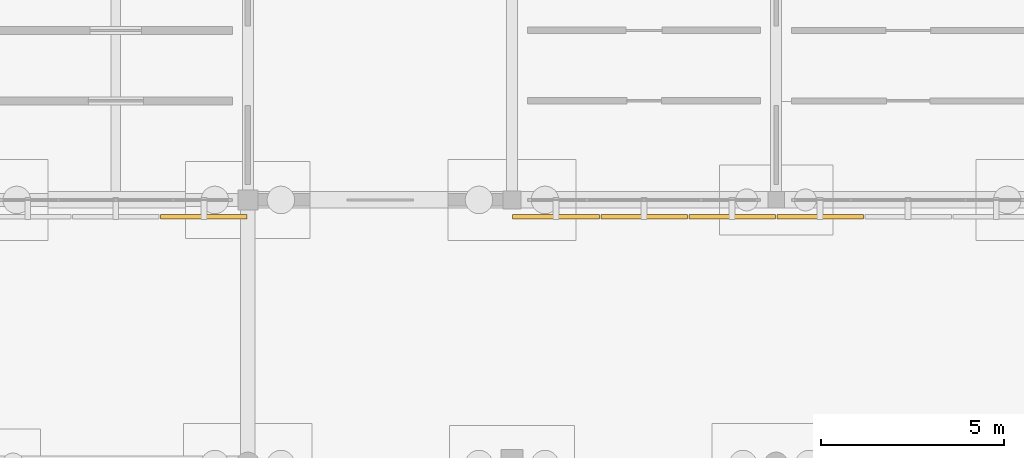
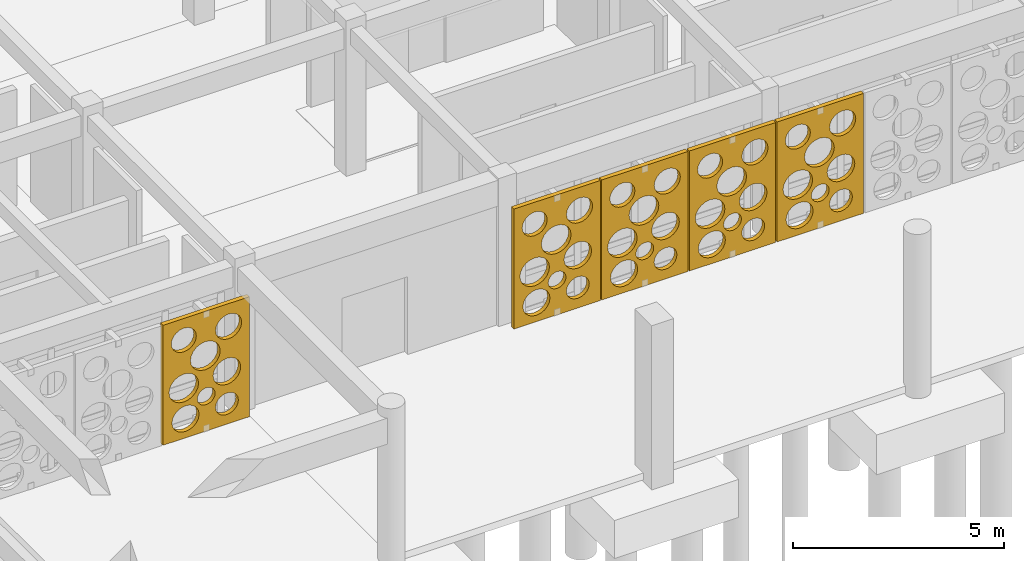
# One storey, part 97 of 111: 5 coverings.
"""IFC4 building model written with IfcOpenShell, lengths in metres."""

from ifc_helpers import new_model, si_unit, direction, frame, origin, place, context, subcontext, project, spatial, polyline, outline, extrude, material, layer, layer_set, type_object, element, save


model = new_model("IFC4")

# Units and contexts
model_context = context("Model", 3, precision=1e-05, world=origin(), true_north=direction((0.0, 1.0)))
body_context = subcontext(model_context, "Body", "Model", "MODEL_VIEW")
ifc_project = project(units=[si_unit("LENGTHUNIT", "METRE"), si_unit("AREAUNIT", "SQUARE_METRE"), si_unit("VOLUMEUNIT", "CUBIC_METRE"), si_unit("PLANEANGLEUNIT", "RADIAN"), si_unit("MASSUNIT", "GRAM", prefix="KILO")], contexts=[model_context])

# Site, building, storey
site_placement = place(None, origin())
site = spatial("IfcSite", under=ifc_project, at=site_placement, CompositionType="ELEMENT")
building_placement = place(site_placement, origin())
building = spatial("IfcBuilding", under=site, at=building_placement, Name="Aldebral Square Health Centre", CompositionType="ELEMENT")
storey_placement = place(building_placement, origin())
storey = spatial("IfcBuildingStorey", under=building, at=storey_placement, Name="L00", CompositionType="ELEMENT", Elevation=0.0)

# Coverings
ifc_material = material(Name="Cream cantera perforated stone screen", Category="masonry")
ifc_layer = layer(ifc_material, 0.1201171875, Name="Cream cantera perforated stone screen", Category="masonry")
ifc_layer_set = layer_set([ifc_layer], Name="Cream cantera perforated stone screen")
covering_type = type_object("IfcCoveringType", Name="COV-SCR-120", PredefinedType="CLADDING", material=ifc_layer_set)
covering_1_placement = place(storey_placement, frame((69.6201171875, 78.739990234375, 0.0), z_axis=(0.0, 0.0, 1.0), x_axis=(1.0, 0.0, 0.0)))
element("IfcCovering", 1, at=covering_1_placement, inside=storey, type_object=covering_type, Name="L00 V1 circular-aperture stone screen L00-V1-09-11-S.3", PredefinedType="CLADDING", context=body_context, shape_type="SweptSolid", body=[
    extrude(outline(polyline([(0.0, 0.0), (2.35986328125, 0.0), (2.35986328125, 3.469970703125), (0.0, 3.469970703125), (0.0, 0.0)]), holes=[polyline([(0.98486328125, 0.55517578125), (0.966552734375, 0.4404296875), (0.913818359375, 0.3369140625), (0.831787109375, 0.2548828125), (0.728271484375, 0.2021484375), (0.613525390625, 0.18408203125), (0.498779296875, 0.2021484375), (0.3955078125, 0.2548828125), (0.313232421875, 0.3369140625), (0.260498046875, 0.4404296875), (0.242431640625, 0.55517578125), (0.260498046875, 0.669921875), (0.313232421875, 0.7734375), (0.3955078125, 0.85546875), (0.498779296875, 0.908203125), (0.613525390625, 0.926513671875), (0.728271484375, 0.908203125), (0.831787109375, 0.85546875), (0.913818359375, 0.7734375), (0.966552734375, 0.669921875), (0.98486328125, 0.55517578125)]), polyline([(2.059326171875, 0.58984375), (2.0439453125, 0.4931640625), (1.99951171875, 0.406005859375), (1.930419921875, 0.336669921875), (1.843017578125, 0.292236328125), (1.746337890625, 0.277099609375), (1.649658203125, 0.292236328125), (1.5625, 0.336669921875), (1.4931640625, 0.406005859375), (1.44873046875, 0.4931640625), (1.43359375, 0.58984375), (1.44873046875, 0.6865234375), (1.4931640625, 0.77392578125), (1.5625, 0.843017578125), (1.649658203125, 0.887451171875), (1.746337890625, 0.90283203125), (1.843017578125, 0.887451171875), (1.930419921875, 0.843017578125), (1.99951171875, 0.77392578125), (2.0439453125, 0.6865234375), (2.059326171875, 0.58984375)]), polyline([(0.970703125, 1.45751953125), (0.950927734375, 1.33251953125), (0.8935546875, 1.2197265625), (0.803955078125, 1.13037109375), (0.69140625, 1.072998046875), (0.56640625, 1.052978515625), (0.44140625, 1.072998046875), (0.328857421875, 1.13037109375), (0.2392578125, 1.2197265625), (0.181884765625, 1.33251953125), (0.162109375, 1.45751953125), (0.181884765625, 1.582275390625), (0.2392578125, 1.695068359375), (0.328857421875, 1.784423828125), (0.44140625, 1.841796875), (0.56640625, 1.86181640625), (0.69140625, 1.841796875), (0.803955078125, 1.784423828125), (0.8935546875, 1.695068359375), (0.950927734375, 1.582275390625), (0.970703125, 1.45751953125)]), polyline([(2.124267578125, 1.52685546875), (2.105712890625, 1.41015625), (2.052001953125, 1.3046875), (1.968505859375, 1.22119140625), (1.863037109375, 1.16748046875), (1.746337890625, 1.14892578125), (1.629638671875, 1.16748046875), (1.5244140625, 1.22119140625), (1.440673828125, 1.3046875), (1.38720703125, 1.41015625), (1.36865234375, 1.52685546875), (1.38720703125, 1.6435546875), (1.440673828125, 1.748779296875), (1.5244140625, 1.83251953125), (1.629638671875, 1.88623046875), (1.746337890625, 1.904541015625), (1.863037109375, 1.88623046875), (1.968505859375, 1.83251953125), (2.052001953125, 1.748779296875), (2.105712890625, 1.6435546875), (2.124267578125, 1.52685546875)]), polyline([(1.42431640625, 1.00634765625), (1.412353515625, 0.9306640625), (1.377685546875, 0.862548828125), (1.32373046875, 0.80859375), (1.255615234375, 0.77392578125), (1.179931640625, 0.761962890625), (1.1044921875, 0.77392578125), (1.036376953125, 0.80859375), (0.982177734375, 0.862548828125), (0.947509765625, 0.9306640625), (0.935546875, 1.00634765625), (0.947509765625, 1.081787109375), (0.982177734375, 1.14990234375), (1.036376953125, 1.2041015625), (1.1044921875, 1.23876953125), (1.179931640625, 1.250732421875), (1.255615234375, 1.23876953125), (1.32373046875, 1.2041015625), (1.377685546875, 1.14990234375), (1.412353515625, 1.081787109375), (1.42431640625, 1.00634765625)]), polyline([(1.563232421875, 2.18603515625), (1.54345703125, 2.060302734375), (1.485595703125, 1.947021484375), (1.3955078125, 1.85693359375), (1.2822265625, 1.799072265625), (1.156494140625, 1.779296875), (1.03076171875, 1.799072265625), (0.917236328125, 1.85693359375), (0.8271484375, 1.947021484375), (0.76953125, 2.060302734375), (0.74951171875, 2.18603515625), (0.76953125, 2.311767578125), (0.8271484375, 2.42529296875), (0.917236328125, 2.515380859375), (1.03076171875, 2.572998046875), (1.156494140625, 2.593017578125), (1.2822265625, 2.572998046875), (1.3955078125, 2.515380859375), (1.485595703125, 2.42529296875), (1.54345703125, 2.311767578125), (1.563232421875, 2.18603515625)]), polyline([(0.9091796875, 2.845458984375), (0.892333984375, 2.739501953125), (0.84375, 2.64404296875), (0.767822265625, 2.568115234375), (0.67236328125, 2.51953125), (0.56640625, 2.502685546875), (0.46044921875, 2.51953125), (0.364990234375, 2.568115234375), (0.2890625, 2.64404296875), (0.240478515625, 2.739501953125), (0.2236328125, 2.845458984375), (0.240478515625, 2.951416015625), (0.2890625, 3.046875), (0.364990234375, 3.12255859375), (0.46044921875, 3.17138671875), (0.56640625, 3.18798828125), (0.67236328125, 3.17138671875), (0.767822265625, 3.12255859375), (0.84375, 3.046875), (0.892333984375, 2.951416015625), (0.9091796875, 2.845458984375)]), polyline([(2.1513671875, 2.810791015625), (2.1337890625, 2.7001953125), (2.0830078125, 2.600341796875), (2.00390625, 2.521240234375), (1.904052734375, 2.470458984375), (1.793701171875, 2.452880859375), (1.68310546875, 2.470458984375), (1.583251953125, 2.521240234375), (1.504150390625, 2.600341796875), (1.453369140625, 2.7001953125), (1.435791015625, 2.810791015625), (1.453369140625, 2.921142578125), (1.504150390625, 3.02099609375), (1.583251953125, 3.10009765625), (1.68310546875, 3.15087890625), (1.793701171875, 3.16845703125), (1.904052734375, 3.15087890625), (2.00390625, 3.10009765625), (2.0830078125, 3.02099609375), (2.1337890625, 2.921142578125), (2.1513671875, 2.810791015625)])]), frame((0.0, 0.06005859375, 0.0), z_axis=(0.0, -1.0, 0.0), x_axis=(1.0, 0.0, 0.0)), (0.0, 0.0, 1.0), 0.1201171875),
])
covering_2_placement = place(storey_placement, frame((79.219970703125, 78.739990234375, 0.0), z_axis=(0.0, 0.0, 1.0), x_axis=(1.0, 0.0, 0.0)))
element("IfcCovering", 2, at=covering_2_placement, inside=storey, type_object=covering_type, Name="L00 V1 circular-aperture stone screen L00-V1-11-11-S.1", PredefinedType="CLADDING", context=body_context, shape_type="SweptSolid", body=[
    extrude(outline(polyline([(0.0, 0.0), (2.360107421875, 0.0), (2.360107421875, 3.469970703125), (0.0, 3.469970703125), (0.0, 0.0)]), holes=[polyline([(0.98486328125, 0.55517578125), (0.966552734375, 0.4404296875), (0.913818359375, 0.3369140625), (0.831787109375, 0.2548828125), (0.728271484375, 0.2021484375), (0.613525390625, 0.18408203125), (0.498779296875, 0.2021484375), (0.3955078125, 0.2548828125), (0.313232421875, 0.3369140625), (0.260498046875, 0.4404296875), (0.242431640625, 0.55517578125), (0.260498046875, 0.669921875), (0.313232421875, 0.7734375), (0.3955078125, 0.85546875), (0.498779296875, 0.908203125), (0.613525390625, 0.926513671875), (0.728271484375, 0.908203125), (0.831787109375, 0.85546875), (0.913818359375, 0.7734375), (0.966552734375, 0.669921875), (0.98486328125, 0.55517578125)]), polyline([(2.059326171875, 0.58984375), (2.0439453125, 0.4931640625), (1.99951171875, 0.406005859375), (1.930419921875, 0.336669921875), (1.843017578125, 0.292236328125), (1.746337890625, 0.277099609375), (1.649658203125, 0.292236328125), (1.5625, 0.336669921875), (1.4931640625, 0.406005859375), (1.44873046875, 0.4931640625), (1.43359375, 0.58984375), (1.44873046875, 0.6865234375), (1.4931640625, 0.77392578125), (1.5625, 0.843017578125), (1.649658203125, 0.887451171875), (1.746337890625, 0.90283203125), (1.843017578125, 0.887451171875), (1.930419921875, 0.843017578125), (1.99951171875, 0.77392578125), (2.0439453125, 0.6865234375), (2.059326171875, 0.58984375)]), polyline([(0.970703125, 1.45751953125), (0.950927734375, 1.33251953125), (0.8935546875, 1.2197265625), (0.803955078125, 1.13037109375), (0.69140625, 1.072998046875), (0.56640625, 1.052978515625), (0.44140625, 1.072998046875), (0.328857421875, 1.13037109375), (0.2392578125, 1.2197265625), (0.181884765625, 1.33251953125), (0.162109375, 1.45751953125), (0.181884765625, 1.582275390625), (0.2392578125, 1.695068359375), (0.328857421875, 1.784423828125), (0.44140625, 1.841796875), (0.56640625, 1.86181640625), (0.69140625, 1.841796875), (0.803955078125, 1.784423828125), (0.8935546875, 1.695068359375), (0.950927734375, 1.582275390625), (0.970703125, 1.45751953125)]), polyline([(2.124267578125, 1.52685546875), (2.105712890625, 1.41015625), (2.052001953125, 1.3046875), (1.968505859375, 1.22119140625), (1.863037109375, 1.16748046875), (1.746337890625, 1.14892578125), (1.629638671875, 1.16748046875), (1.5244140625, 1.22119140625), (1.440673828125, 1.3046875), (1.38720703125, 1.41015625), (1.36865234375, 1.52685546875), (1.38720703125, 1.6435546875), (1.440673828125, 1.748779296875), (1.5244140625, 1.83251953125), (1.629638671875, 1.88623046875), (1.746337890625, 1.904541015625), (1.863037109375, 1.88623046875), (1.968505859375, 1.83251953125), (2.052001953125, 1.748779296875), (2.105712890625, 1.6435546875), (2.124267578125, 1.52685546875)]), polyline([(1.42431640625, 1.00634765625), (1.412353515625, 0.9306640625), (1.377685546875, 0.862548828125), (1.32373046875, 0.80859375), (1.255615234375, 0.77392578125), (1.179931640625, 0.761962890625), (1.1044921875, 0.77392578125), (1.036376953125, 0.80859375), (0.982177734375, 0.862548828125), (0.947509765625, 0.9306640625), (0.935546875, 1.00634765625), (0.947509765625, 1.081787109375), (0.982177734375, 1.14990234375), (1.036376953125, 1.2041015625), (1.1044921875, 1.23876953125), (1.179931640625, 1.250732421875), (1.255615234375, 1.23876953125), (1.32373046875, 1.2041015625), (1.377685546875, 1.14990234375), (1.412353515625, 1.081787109375), (1.42431640625, 1.00634765625)]), polyline([(1.563232421875, 2.18603515625), (1.54345703125, 2.060302734375), (1.485595703125, 1.947021484375), (1.3955078125, 1.85693359375), (1.2822265625, 1.799072265625), (1.156494140625, 1.779296875), (1.03076171875, 1.799072265625), (0.917236328125, 1.85693359375), (0.8271484375, 1.947021484375), (0.76953125, 2.060302734375), (0.74951171875, 2.18603515625), (0.76953125, 2.311767578125), (0.8271484375, 2.42529296875), (0.917236328125, 2.515380859375), (1.03076171875, 2.572998046875), (1.156494140625, 2.593017578125), (1.2822265625, 2.572998046875), (1.3955078125, 2.515380859375), (1.485595703125, 2.42529296875), (1.54345703125, 2.311767578125), (1.563232421875, 2.18603515625)]), polyline([(0.9091796875, 2.845458984375), (0.892333984375, 2.739501953125), (0.84375, 2.64404296875), (0.767822265625, 2.568115234375), (0.67236328125, 2.51953125), (0.56640625, 2.502685546875), (0.46044921875, 2.51953125), (0.364990234375, 2.568115234375), (0.2890625, 2.64404296875), (0.240478515625, 2.739501953125), (0.2236328125, 2.845458984375), (0.240478515625, 2.951416015625), (0.2890625, 3.046875), (0.364990234375, 3.12255859375), (0.46044921875, 3.17138671875), (0.56640625, 3.18798828125), (0.67236328125, 3.17138671875), (0.767822265625, 3.12255859375), (0.84375, 3.046875), (0.892333984375, 2.951416015625), (0.9091796875, 2.845458984375)]), polyline([(2.1513671875, 2.810791015625), (2.1337890625, 2.7001953125), (2.0830078125, 2.600341796875), (2.00390625, 2.521240234375), (1.904052734375, 2.470458984375), (1.793701171875, 2.452880859375), (1.68310546875, 2.470458984375), (1.583251953125, 2.521240234375), (1.504150390625, 2.600341796875), (1.453369140625, 2.7001953125), (1.435791015625, 2.810791015625), (1.453369140625, 2.921142578125), (1.504150390625, 3.02099609375), (1.583251953125, 3.10009765625), (1.68310546875, 3.15087890625), (1.793701171875, 3.16845703125), (1.904052734375, 3.15087890625), (2.00390625, 3.10009765625), (2.0830078125, 3.02099609375), (2.1337890625, 2.921142578125), (2.1513671875, 2.810791015625)])]), frame((0.0, 0.06005859375, 0.0), z_axis=(0.0, -1.0, 0.0), x_axis=(1.0, 0.0, 0.0)), (0.0, 0.0, 1.0), 0.1201171875),
])
covering_3_placement = place(storey_placement, frame((81.6201171875, 78.739990234375, 0.0), z_axis=(0.0, 0.0, 1.0), x_axis=(1.0, 0.0, 0.0)))
element("IfcCovering", 3, at=covering_3_placement, inside=storey, type_object=covering_type, Name="L00 V1 circular-aperture stone screen L00-V1-11-11-S.2", PredefinedType="CLADDING", context=body_context, shape_type="SweptSolid", body=[
    extrude(outline(polyline([(0.0, 0.0), (2.35986328125, 0.0), (2.35986328125, 3.469970703125), (0.0, 3.469970703125), (0.0, 0.0)]), holes=[polyline([(0.98486328125, 0.55517578125), (0.966552734375, 0.4404296875), (0.913818359375, 0.3369140625), (0.831787109375, 0.2548828125), (0.728271484375, 0.2021484375), (0.613525390625, 0.18408203125), (0.498779296875, 0.2021484375), (0.3955078125, 0.2548828125), (0.313232421875, 0.3369140625), (0.260498046875, 0.4404296875), (0.242431640625, 0.55517578125), (0.260498046875, 0.669921875), (0.313232421875, 0.7734375), (0.3955078125, 0.85546875), (0.498779296875, 0.908203125), (0.613525390625, 0.926513671875), (0.728271484375, 0.908203125), (0.831787109375, 0.85546875), (0.913818359375, 0.7734375), (0.966552734375, 0.669921875), (0.98486328125, 0.55517578125)]), polyline([(2.059326171875, 0.58984375), (2.0439453125, 0.4931640625), (1.99951171875, 0.406005859375), (1.930419921875, 0.336669921875), (1.843017578125, 0.292236328125), (1.746337890625, 0.277099609375), (1.649658203125, 0.292236328125), (1.5625, 0.336669921875), (1.4931640625, 0.406005859375), (1.44873046875, 0.4931640625), (1.43359375, 0.58984375), (1.44873046875, 0.6865234375), (1.4931640625, 0.77392578125), (1.5625, 0.843017578125), (1.649658203125, 0.887451171875), (1.746337890625, 0.90283203125), (1.843017578125, 0.887451171875), (1.930419921875, 0.843017578125), (1.99951171875, 0.77392578125), (2.0439453125, 0.6865234375), (2.059326171875, 0.58984375)]), polyline([(0.970703125, 1.45751953125), (0.950927734375, 1.33251953125), (0.8935546875, 1.2197265625), (0.803955078125, 1.13037109375), (0.69140625, 1.072998046875), (0.56640625, 1.052978515625), (0.44140625, 1.072998046875), (0.328857421875, 1.13037109375), (0.2392578125, 1.2197265625), (0.181884765625, 1.33251953125), (0.162109375, 1.45751953125), (0.181884765625, 1.582275390625), (0.2392578125, 1.695068359375), (0.328857421875, 1.784423828125), (0.44140625, 1.841796875), (0.56640625, 1.86181640625), (0.69140625, 1.841796875), (0.803955078125, 1.784423828125), (0.8935546875, 1.695068359375), (0.950927734375, 1.582275390625), (0.970703125, 1.45751953125)]), polyline([(2.124267578125, 1.52685546875), (2.105712890625, 1.41015625), (2.052001953125, 1.3046875), (1.968505859375, 1.22119140625), (1.863037109375, 1.16748046875), (1.746337890625, 1.14892578125), (1.629638671875, 1.16748046875), (1.5244140625, 1.22119140625), (1.440673828125, 1.3046875), (1.38720703125, 1.41015625), (1.36865234375, 1.52685546875), (1.38720703125, 1.6435546875), (1.440673828125, 1.748779296875), (1.5244140625, 1.83251953125), (1.629638671875, 1.88623046875), (1.746337890625, 1.904541015625), (1.863037109375, 1.88623046875), (1.968505859375, 1.83251953125), (2.052001953125, 1.748779296875), (2.105712890625, 1.6435546875), (2.124267578125, 1.52685546875)]), polyline([(1.42431640625, 1.00634765625), (1.412353515625, 0.9306640625), (1.377685546875, 0.862548828125), (1.32373046875, 0.80859375), (1.255615234375, 0.77392578125), (1.179931640625, 0.761962890625), (1.1044921875, 0.77392578125), (1.036376953125, 0.80859375), (0.982177734375, 0.862548828125), (0.947509765625, 0.9306640625), (0.935546875, 1.00634765625), (0.947509765625, 1.081787109375), (0.982177734375, 1.14990234375), (1.036376953125, 1.2041015625), (1.1044921875, 1.23876953125), (1.179931640625, 1.250732421875), (1.255615234375, 1.23876953125), (1.32373046875, 1.2041015625), (1.377685546875, 1.14990234375), (1.412353515625, 1.081787109375), (1.42431640625, 1.00634765625)]), polyline([(1.563232421875, 2.18603515625), (1.54345703125, 2.060302734375), (1.485595703125, 1.947021484375), (1.3955078125, 1.85693359375), (1.2822265625, 1.799072265625), (1.156494140625, 1.779296875), (1.03076171875, 1.799072265625), (0.917236328125, 1.85693359375), (0.8271484375, 1.947021484375), (0.76953125, 2.060302734375), (0.74951171875, 2.18603515625), (0.76953125, 2.311767578125), (0.8271484375, 2.42529296875), (0.917236328125, 2.515380859375), (1.03076171875, 2.572998046875), (1.156494140625, 2.593017578125), (1.2822265625, 2.572998046875), (1.3955078125, 2.515380859375), (1.485595703125, 2.42529296875), (1.54345703125, 2.311767578125), (1.563232421875, 2.18603515625)]), polyline([(0.9091796875, 2.845458984375), (0.892333984375, 2.739501953125), (0.84375, 2.64404296875), (0.767822265625, 2.568115234375), (0.67236328125, 2.51953125), (0.56640625, 2.502685546875), (0.46044921875, 2.51953125), (0.364990234375, 2.568115234375), (0.2890625, 2.64404296875), (0.240478515625, 2.739501953125), (0.2236328125, 2.845458984375), (0.240478515625, 2.951416015625), (0.2890625, 3.046875), (0.364990234375, 3.12255859375), (0.46044921875, 3.17138671875), (0.56640625, 3.18798828125), (0.67236328125, 3.17138671875), (0.767822265625, 3.12255859375), (0.84375, 3.046875), (0.892333984375, 2.951416015625), (0.9091796875, 2.845458984375)]), polyline([(2.1513671875, 2.810791015625), (2.1337890625, 2.7001953125), (2.0830078125, 2.600341796875), (2.00390625, 2.521240234375), (1.904052734375, 2.470458984375), (1.793701171875, 2.452880859375), (1.68310546875, 2.470458984375), (1.583251953125, 2.521240234375), (1.504150390625, 2.600341796875), (1.453369140625, 2.7001953125), (1.435791015625, 2.810791015625), (1.453369140625, 2.921142578125), (1.504150390625, 3.02099609375), (1.583251953125, 3.10009765625), (1.68310546875, 3.15087890625), (1.793701171875, 3.16845703125), (1.904052734375, 3.15087890625), (2.00390625, 3.10009765625), (2.0830078125, 3.02099609375), (2.1337890625, 2.921142578125), (2.1513671875, 2.810791015625)])]), frame((0.0, 0.06005859375, 0.0), z_axis=(0.0, -1.0, 0.0), x_axis=(1.0, 0.0, 0.0)), (0.0, 0.0, 1.0), 0.1201171875),
])
covering_4_placement = place(storey_placement, frame((84.02001953125, 78.739990234375, 0.0), z_axis=(0.0, 0.0, 1.0), x_axis=(1.0, 0.0, 0.0)))
element("IfcCovering", 4, at=covering_4_placement, inside=storey, type_object=covering_type, Name="L00 V1 circular-aperture stone screen L00-V1-11-11-S.3", PredefinedType="CLADDING", context=body_context, shape_type="SweptSolid", body=[
    extrude(outline(polyline([(0.0, 0.0), (2.35986328125, 0.0), (2.35986328125, 3.469970703125), (0.0, 3.469970703125), (0.0, 0.0)]), holes=[polyline([(0.98486328125, 0.55517578125), (0.966552734375, 0.4404296875), (0.913818359375, 0.3369140625), (0.831787109375, 0.2548828125), (0.728271484375, 0.2021484375), (0.613525390625, 0.18408203125), (0.498779296875, 0.2021484375), (0.3955078125, 0.2548828125), (0.313232421875, 0.3369140625), (0.260498046875, 0.4404296875), (0.242431640625, 0.55517578125), (0.260498046875, 0.669921875), (0.313232421875, 0.7734375), (0.3955078125, 0.85546875), (0.498779296875, 0.908203125), (0.613525390625, 0.926513671875), (0.728271484375, 0.908203125), (0.831787109375, 0.85546875), (0.913818359375, 0.7734375), (0.966552734375, 0.669921875), (0.98486328125, 0.55517578125)]), polyline([(2.059326171875, 0.58984375), (2.0439453125, 0.4931640625), (1.99951171875, 0.406005859375), (1.930419921875, 0.336669921875), (1.843017578125, 0.292236328125), (1.746337890625, 0.277099609375), (1.649658203125, 0.292236328125), (1.5625, 0.336669921875), (1.4931640625, 0.406005859375), (1.44873046875, 0.4931640625), (1.43359375, 0.58984375), (1.44873046875, 0.6865234375), (1.4931640625, 0.77392578125), (1.5625, 0.843017578125), (1.649658203125, 0.887451171875), (1.746337890625, 0.90283203125), (1.843017578125, 0.887451171875), (1.930419921875, 0.843017578125), (1.99951171875, 0.77392578125), (2.0439453125, 0.6865234375), (2.059326171875, 0.58984375)]), polyline([(0.970703125, 1.45751953125), (0.950927734375, 1.33251953125), (0.8935546875, 1.2197265625), (0.803955078125, 1.13037109375), (0.69140625, 1.072998046875), (0.56640625, 1.052978515625), (0.44140625, 1.072998046875), (0.328857421875, 1.13037109375), (0.2392578125, 1.2197265625), (0.181884765625, 1.33251953125), (0.162109375, 1.45751953125), (0.181884765625, 1.582275390625), (0.2392578125, 1.695068359375), (0.328857421875, 1.784423828125), (0.44140625, 1.841796875), (0.56640625, 1.86181640625), (0.69140625, 1.841796875), (0.803955078125, 1.784423828125), (0.8935546875, 1.695068359375), (0.950927734375, 1.582275390625), (0.970703125, 1.45751953125)]), polyline([(2.124267578125, 1.52685546875), (2.105712890625, 1.41015625), (2.052001953125, 1.3046875), (1.968505859375, 1.22119140625), (1.863037109375, 1.16748046875), (1.746337890625, 1.14892578125), (1.629638671875, 1.16748046875), (1.5244140625, 1.22119140625), (1.440673828125, 1.3046875), (1.38720703125, 1.41015625), (1.36865234375, 1.52685546875), (1.38720703125, 1.6435546875), (1.440673828125, 1.748779296875), (1.5244140625, 1.83251953125), (1.629638671875, 1.88623046875), (1.746337890625, 1.904541015625), (1.863037109375, 1.88623046875), (1.968505859375, 1.83251953125), (2.052001953125, 1.748779296875), (2.105712890625, 1.6435546875), (2.124267578125, 1.52685546875)]), polyline([(1.42431640625, 1.00634765625), (1.412353515625, 0.9306640625), (1.377685546875, 0.862548828125), (1.32373046875, 0.80859375), (1.255615234375, 0.77392578125), (1.179931640625, 0.761962890625), (1.1044921875, 0.77392578125), (1.036376953125, 0.80859375), (0.982177734375, 0.862548828125), (0.947509765625, 0.9306640625), (0.935546875, 1.00634765625), (0.947509765625, 1.081787109375), (0.982177734375, 1.14990234375), (1.036376953125, 1.2041015625), (1.1044921875, 1.23876953125), (1.179931640625, 1.250732421875), (1.255615234375, 1.23876953125), (1.32373046875, 1.2041015625), (1.377685546875, 1.14990234375), (1.412353515625, 1.081787109375), (1.42431640625, 1.00634765625)]), polyline([(1.563232421875, 2.18603515625), (1.54345703125, 2.060302734375), (1.485595703125, 1.947021484375), (1.3955078125, 1.85693359375), (1.2822265625, 1.799072265625), (1.156494140625, 1.779296875), (1.03076171875, 1.799072265625), (0.917236328125, 1.85693359375), (0.8271484375, 1.947021484375), (0.76953125, 2.060302734375), (0.74951171875, 2.18603515625), (0.76953125, 2.311767578125), (0.8271484375, 2.42529296875), (0.917236328125, 2.515380859375), (1.03076171875, 2.572998046875), (1.156494140625, 2.593017578125), (1.2822265625, 2.572998046875), (1.3955078125, 2.515380859375), (1.485595703125, 2.42529296875), (1.54345703125, 2.311767578125), (1.563232421875, 2.18603515625)]), polyline([(0.9091796875, 2.845458984375), (0.892333984375, 2.739501953125), (0.84375, 2.64404296875), (0.767822265625, 2.568115234375), (0.67236328125, 2.51953125), (0.56640625, 2.502685546875), (0.46044921875, 2.51953125), (0.364990234375, 2.568115234375), (0.2890625, 2.64404296875), (0.240478515625, 2.739501953125), (0.2236328125, 2.845458984375), (0.240478515625, 2.951416015625), (0.2890625, 3.046875), (0.364990234375, 3.12255859375), (0.46044921875, 3.17138671875), (0.56640625, 3.18798828125), (0.67236328125, 3.17138671875), (0.767822265625, 3.12255859375), (0.84375, 3.046875), (0.892333984375, 2.951416015625), (0.9091796875, 2.845458984375)]), polyline([(2.1513671875, 2.810791015625), (2.1337890625, 2.7001953125), (2.0830078125, 2.600341796875), (2.00390625, 2.521240234375), (1.904052734375, 2.470458984375), (1.793701171875, 2.452880859375), (1.68310546875, 2.470458984375), (1.583251953125, 2.521240234375), (1.504150390625, 2.600341796875), (1.453369140625, 2.7001953125), (1.435791015625, 2.810791015625), (1.453369140625, 2.921142578125), (1.504150390625, 3.02099609375), (1.583251953125, 3.10009765625), (1.68310546875, 3.15087890625), (1.793701171875, 3.16845703125), (1.904052734375, 3.15087890625), (2.00390625, 3.10009765625), (2.0830078125, 3.02099609375), (2.1337890625, 2.921142578125), (2.1513671875, 2.810791015625)])]), frame((0.0, 0.06005859375, 0.0), z_axis=(0.0, -1.0, 0.0), x_axis=(1.0, 0.0, 0.0)), (0.0, 0.0, 1.0), 0.1201171875),
])
covering_5_placement = place(storey_placement, frame((86.419921875, 78.739990234375, 0.0), z_axis=(0.0, 0.0, 1.0), x_axis=(1.0, 0.0, 0.0)))
element("IfcCovering", 5, at=covering_5_placement, inside=storey, type_object=covering_type, Name="L00 V1 circular-aperture stone screen L00-V1-12-11-S.1", PredefinedType="CLADDING", context=body_context, shape_type="SweptSolid", body=[
    extrude(outline(polyline([(0.0, 0.0), (2.360107421875, 0.0), (2.360107421875, 3.469970703125), (0.0, 3.469970703125), (0.0, 0.0)]), holes=[polyline([(0.98486328125, 0.55517578125), (0.966552734375, 0.4404296875), (0.913818359375, 0.3369140625), (0.831787109375, 0.2548828125), (0.728271484375, 0.2021484375), (0.613525390625, 0.18408203125), (0.498779296875, 0.2021484375), (0.3955078125, 0.2548828125), (0.313232421875, 0.3369140625), (0.260498046875, 0.4404296875), (0.242431640625, 0.55517578125), (0.260498046875, 0.669921875), (0.313232421875, 0.7734375), (0.3955078125, 0.85546875), (0.498779296875, 0.908203125), (0.613525390625, 0.926513671875), (0.728271484375, 0.908203125), (0.831787109375, 0.85546875), (0.913818359375, 0.7734375), (0.966552734375, 0.669921875), (0.98486328125, 0.55517578125)]), polyline([(2.059326171875, 0.58984375), (2.0439453125, 0.4931640625), (1.99951171875, 0.406005859375), (1.930419921875, 0.336669921875), (1.843017578125, 0.292236328125), (1.746337890625, 0.277099609375), (1.649658203125, 0.292236328125), (1.5625, 0.336669921875), (1.4931640625, 0.406005859375), (1.44873046875, 0.4931640625), (1.43359375, 0.58984375), (1.44873046875, 0.6865234375), (1.4931640625, 0.77392578125), (1.5625, 0.843017578125), (1.649658203125, 0.887451171875), (1.746337890625, 0.90283203125), (1.843017578125, 0.887451171875), (1.930419921875, 0.843017578125), (1.99951171875, 0.77392578125), (2.0439453125, 0.6865234375), (2.059326171875, 0.58984375)]), polyline([(0.970703125, 1.45751953125), (0.950927734375, 1.33251953125), (0.8935546875, 1.2197265625), (0.803955078125, 1.13037109375), (0.69140625, 1.072998046875), (0.56640625, 1.052978515625), (0.44140625, 1.072998046875), (0.328857421875, 1.13037109375), (0.2392578125, 1.2197265625), (0.181884765625, 1.33251953125), (0.162109375, 1.45751953125), (0.181884765625, 1.582275390625), (0.2392578125, 1.695068359375), (0.328857421875, 1.784423828125), (0.44140625, 1.841796875), (0.56640625, 1.86181640625), (0.69140625, 1.841796875), (0.803955078125, 1.784423828125), (0.8935546875, 1.695068359375), (0.950927734375, 1.582275390625), (0.970703125, 1.45751953125)]), polyline([(2.124267578125, 1.52685546875), (2.105712890625, 1.41015625), (2.052001953125, 1.3046875), (1.968505859375, 1.22119140625), (1.863037109375, 1.16748046875), (1.746337890625, 1.14892578125), (1.629638671875, 1.16748046875), (1.5244140625, 1.22119140625), (1.440673828125, 1.3046875), (1.38720703125, 1.41015625), (1.36865234375, 1.52685546875), (1.38720703125, 1.6435546875), (1.440673828125, 1.748779296875), (1.5244140625, 1.83251953125), (1.629638671875, 1.88623046875), (1.746337890625, 1.904541015625), (1.863037109375, 1.88623046875), (1.968505859375, 1.83251953125), (2.052001953125, 1.748779296875), (2.105712890625, 1.6435546875), (2.124267578125, 1.52685546875)]), polyline([(1.42431640625, 1.00634765625), (1.412353515625, 0.9306640625), (1.377685546875, 0.862548828125), (1.32373046875, 0.80859375), (1.255615234375, 0.77392578125), (1.179931640625, 0.761962890625), (1.1044921875, 0.77392578125), (1.036376953125, 0.80859375), (0.982177734375, 0.862548828125), (0.947509765625, 0.9306640625), (0.935546875, 1.00634765625), (0.947509765625, 1.081787109375), (0.982177734375, 1.14990234375), (1.036376953125, 1.2041015625), (1.1044921875, 1.23876953125), (1.179931640625, 1.250732421875), (1.255615234375, 1.23876953125), (1.32373046875, 1.2041015625), (1.377685546875, 1.14990234375), (1.412353515625, 1.081787109375), (1.42431640625, 1.00634765625)]), polyline([(1.563232421875, 2.18603515625), (1.54345703125, 2.060302734375), (1.485595703125, 1.947021484375), (1.3955078125, 1.85693359375), (1.2822265625, 1.799072265625), (1.156494140625, 1.779296875), (1.03076171875, 1.799072265625), (0.917236328125, 1.85693359375), (0.8271484375, 1.947021484375), (0.76953125, 2.060302734375), (0.74951171875, 2.18603515625), (0.76953125, 2.311767578125), (0.8271484375, 2.42529296875), (0.917236328125, 2.515380859375), (1.03076171875, 2.572998046875), (1.156494140625, 2.593017578125), (1.2822265625, 2.572998046875), (1.3955078125, 2.515380859375), (1.485595703125, 2.42529296875), (1.54345703125, 2.311767578125), (1.563232421875, 2.18603515625)]), polyline([(0.9091796875, 2.845458984375), (0.892333984375, 2.739501953125), (0.84375, 2.64404296875), (0.767822265625, 2.568115234375), (0.67236328125, 2.51953125), (0.56640625, 2.502685546875), (0.46044921875, 2.51953125), (0.364990234375, 2.568115234375), (0.2890625, 2.64404296875), (0.240478515625, 2.739501953125), (0.2236328125, 2.845458984375), (0.240478515625, 2.951416015625), (0.2890625, 3.046875), (0.364990234375, 3.12255859375), (0.46044921875, 3.17138671875), (0.56640625, 3.18798828125), (0.67236328125, 3.17138671875), (0.767822265625, 3.12255859375), (0.84375, 3.046875), (0.892333984375, 2.951416015625), (0.9091796875, 2.845458984375)]), polyline([(2.1513671875, 2.810791015625), (2.1337890625, 2.7001953125), (2.0830078125, 2.600341796875), (2.00390625, 2.521240234375), (1.904052734375, 2.470458984375), (1.793701171875, 2.452880859375), (1.68310546875, 2.470458984375), (1.583251953125, 2.521240234375), (1.504150390625, 2.600341796875), (1.453369140625, 2.7001953125), (1.435791015625, 2.810791015625), (1.453369140625, 2.921142578125), (1.504150390625, 3.02099609375), (1.583251953125, 3.10009765625), (1.68310546875, 3.15087890625), (1.793701171875, 3.16845703125), (1.904052734375, 3.15087890625), (2.00390625, 3.10009765625), (2.0830078125, 3.02099609375), (2.1337890625, 2.921142578125), (2.1513671875, 2.810791015625)])]), frame((0.0, 0.06005859375, 0.0), z_axis=(0.0, -1.0, 0.0), x_axis=(1.0, 0.0, 0.0)), (0.0, 0.0, 1.0), 0.1201171875),
])

save(model, "model.ifc")
